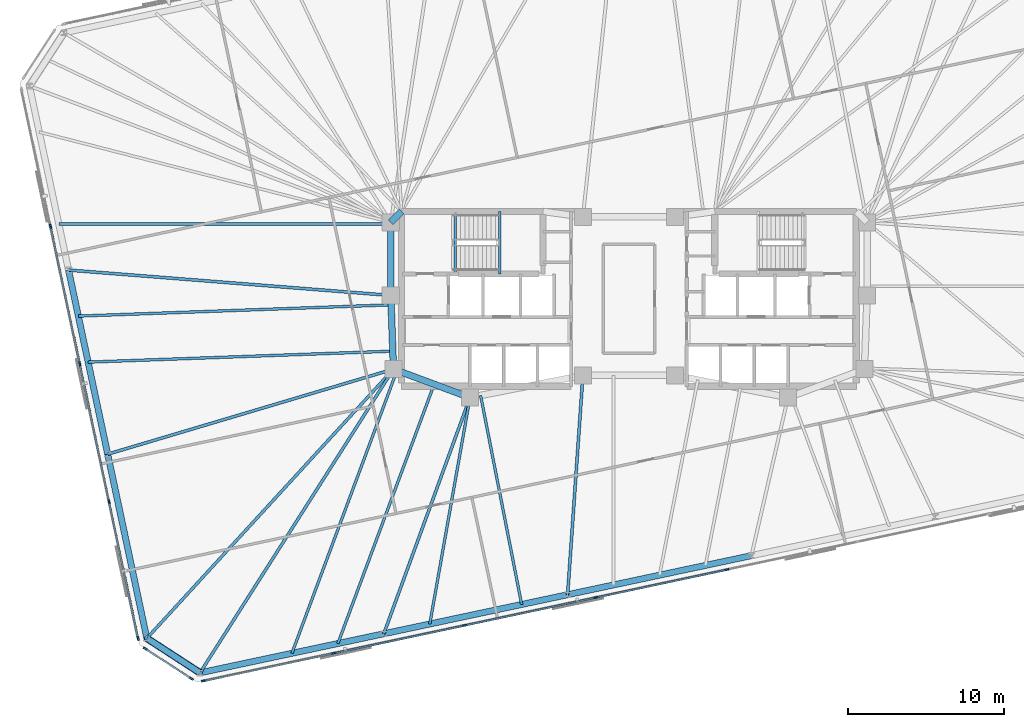
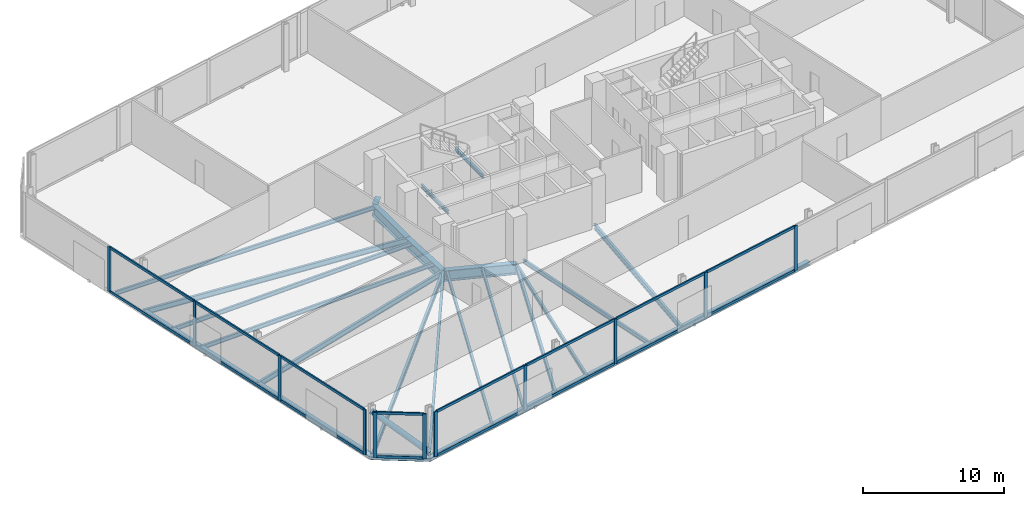
# One storey, part 6 of 15: 28 members, 25 beams, 3 elements without a shape of their own.
"""IFC4 building model written with IfcOpenShell, lengths in metres."""

import ifcopenshell
import ifcopenshell.guid

model = None  # the IFC model being written
_history = None  # IfcOwnerHistory: only IFC2X3 demands one
_inside = {}  # id of a spatial element -> (the spatial element, [elements in it])
_under = {}  # id of a project, library or spatial element -> (it, [spatial elements below it])
_declared = {}  # id of a project -> (the project, [libraries it declares])
_typed = {}  # id of a type object -> (the type object, [elements of that type])
_made_of = {}  # id of a material, layer set ... -> (it, [elements and type objects made of it])


def new_model(schema):
    """Start an empty IFC model of exactly this schema.

    Asked for "IFC4X3", IfcOpenShell would pick the latest addendum, in which some entities
    have other attributes; the version numbers below select the first issue.
    IFC2X3 requires an IfcOwnerHistory on every rooted entity: one is made here for all.
    """
    global model, _history
    if schema == "IFC4X3":
        model = ifcopenshell.file(schema_version=(4, 3, 0, 0))
    else:
        model = ifcopenshell.file(schema=schema)
    _inside.clear()
    _under.clear()
    _declared.clear()
    _typed.clear()
    _made_of.clear()
    _history = None
    if model.schema == "IFC2X3":
        org = make("IfcOrganization", Name="unknown")
        user = make(
            "IfcPersonAndOrganization",
            ThePerson=make("IfcPerson", FamilyName="unknown"),
            TheOrganization=org,
        )
        app = make(
            "IfcApplication",
            ApplicationDeveloper=org,
            Version="unknown",
            ApplicationFullName="unknown",
            ApplicationIdentifier="unknown",
        )
        _history = make(
            "IfcOwnerHistory",
            OwningUser=user,
            OwningApplication=app,
            ChangeAction="ADDED",
            CreationDate=0,
        )
    return model


def make(cls, **values):
    """One entity of the class cls with the attributes given. An attribute that is None is left unset."""
    return model.create_entity(
        cls, **{name: value for name, value in values.items() if value is not None}
    )


def rooted(cls, **values):
    """An entity with a GlobalId (a new one), such as an element, a storey or a relation."""
    return make(cls, GlobalId=ifcopenshell.guid.new(), OwnerHistory=_history, **values)


def si_unit(unit_type, name, prefix=None):
    """IfcSIUnit, for example si_unit("LENGTHUNIT", "METRE", prefix="MILLI")."""
    return make("IfcSIUnit", UnitType=unit_type, Prefix=prefix, Name=name)


def assignment(units):
    """IfcUnitAssignment: the units of a project."""
    return None if units is None else make("IfcUnitAssignment", Units=units)


def point(xyz):
    """IfcCartesianPoint."""
    return None if xyz is None else make("IfcCartesianPoint", Coordinates=xyz)


def direction(xyz):
    """IfcDirection."""
    return None if xyz is None else make("IfcDirection", DirectionRatios=xyz)


def frame(location, z_axis=None, x_axis=None):
    """IfcAxis2Placement3D, a coordinate frame: its origin and axes. An axis left out is left unset."""
    return make(
        "IfcAxis2Placement3D",
        Location=point(location),
        Axis=direction(z_axis),
        RefDirection=direction(x_axis),
    )


def frame_2d(location, x_axis=None):
    """IfcAxis2Placement2D, a coordinate frame in the plane: its origin and x axis."""
    return make(
        "IfcAxis2Placement2D", Location=point(location), RefDirection=direction(x_axis)
    )


def origin():
    """The frame at (0, 0, 0) with its axes left unset."""
    return frame((0.0, 0.0, 0.0))


def origin_2d():
    """The frame at (0, 0) in the plane with its x axis left unset."""
    return frame_2d((0.0, 0.0))


def place(relative_to, where):
    """IfcLocalPlacement: puts the frame where relative to a parent placement (None: the world)."""
    return make(
        "IfcLocalPlacement", PlacementRelTo=relative_to, RelativePlacement=where
    )


def context(
    kind, dimensions, precision=None, world=None, true_north=None, identifier=None
):
    """IfcGeometricRepresentationContext, for example the 3D "Model" context."""
    return make(
        "IfcGeometricRepresentationContext",
        ContextIdentifier=identifier,
        ContextType=kind,
        CoordinateSpaceDimension=dimensions,
        Precision=precision,
        WorldCoordinateSystem=world,
        TrueNorth=true_north,
    )


def subcontext(parent, identifier, kind, view, scale=None):
    """IfcGeometricRepresentationSubContext, for example "Body" below "Model"."""
    return make(
        "IfcGeometricRepresentationSubContext",
        ContextIdentifier=identifier,
        ContextType=kind,
        ParentContext=parent,
        TargetScale=scale,
        TargetView=view,
    )


def project(units=None, contexts=None):
    """IfcProject with its units and contexts."""
    return rooted(
        "IfcProject",
        Name="project",
        RepresentationContexts=contexts,
        UnitsInContext=assignment(units),
    )


def spatial(cls, under=None, at=None, **own):
    """A site, building, storey or space (cls), placed at a placement, below another one or the project."""
    s = rooted(cls, ObjectPlacement=at, **own)
    if under is not None:
        _under.setdefault(under.id(), (under, []))[1].append(s)
    return s


def profile(cls, at=None, kind="AREA", **sizes):
    """A parametric profile (cls). Its sizes go by their IFC names, for example OverallWidth=200.0."""
    return make(cls, ProfileType=kind, Position=at, **sizes)


def rectangle(**sizes):
    """IfcRectangleProfileDef."""
    return profile("IfcRectangleProfileDef", **sizes)


def hollow_circle(**sizes):
    """IfcCircleHollowProfileDef."""
    return profile("IfcCircleHollowProfileDef", **sizes)


def i_section(**sizes):
    """IfcIShapeProfileDef."""
    return profile("IfcIShapeProfileDef", **sizes)


def extrude(swept, where, along, depth):
    """IfcExtrudedAreaSolid: the profile swept, set in the frame where, extruded along a direction by depth."""
    return make(
        "IfcExtrudedAreaSolid",
        SweptArea=swept,
        Position=where,
        ExtrudedDirection=direction(along),
        Depth=depth,
    )


def shape(context_of_items, identifier, shape_type, items):
    """IfcShapeRepresentation: the items that make up one representation, for example the "Body"."""
    return make(
        "IfcShapeRepresentation",
        ContextOfItems=context_of_items,
        RepresentationIdentifier=identifier,
        RepresentationType=shape_type,
        Items=items,
    )


def material(Name=None, Category=None):
    """IfcMaterial."""
    return make("IfcMaterial", Name=Name, Category=Category)


def material_profile(
    of_material, cross_section, Name=None, Category=None, Priority=None
):
    """IfcMaterialProfile: a cross section and its material."""
    return make(
        "IfcMaterialProfile",
        Name=Name,
        Material=of_material,
        Profile=cross_section,
        Priority=Priority,
        Category=Category,
    )


def profile_set(profiles, Name=None, composite=None):
    """IfcMaterialProfileSet."""
    return make(
        "IfcMaterialProfileSet",
        Name=Name,
        MaterialProfiles=profiles,
        CompositeProfile=composite,
    )


def made_of(thing, what):
    """Note that an element or type object is made of a material, layer set ...; save() writes the relation."""
    if what is not None:
        _made_of.setdefault(what.id(), (what, []))[1].append(thing)
    return thing


def type_object(cls, material=None, **own):
    """A type object (cls), such as IfcWallType, which elements share."""
    return made_of(rooted(cls, **own), material)


def element(
    cls,
    number,
    at=None,
    inside=None,
    cuts=None,
    type_object=None,
    material=None,
    context=None,
    identifier="Body",
    shape_type=None,
    held_by="IfcProductDefinitionShape",
    body=None,
    shapes=None,
    **own,
):
    """One element of the class cls, such as IfcWall. Its Tag is "e" and its number.

    at: its placement. inside: the storey or other place that contains it. cuts: it is an
    opening in that element (IfcRelVoidsElement). A single representation is given by context,
    identifier, shape_type and body (its items); several are given by shapes. held_by: the class
    of the entity that holds the representations. save() writes the other relations.
    """
    e = rooted(cls, Tag="e%d" % number, ObjectPlacement=at, **own)
    if body is not None:
        shapes = [shape(context, identifier, shape_type, body)]
    if shapes is not None:
        e.Representation = make(held_by, Representations=shapes)
    if inside is not None:
        _inside.setdefault(inside.id(), (inside, []))[1].append(e)
    if cuts is not None:
        rooted(
            "IfcRelVoidsElement", RelatingBuildingElement=cuts, RelatedOpeningElement=e
        )
    if type_object is not None:
        _typed.setdefault(type_object.id(), (type_object, []))[1].append(e)
    return made_of(e, material)


def aggregate(whole, parts):
    """IfcRelAggregates: a whole, such as a stair, and the parts it consists of."""
    return rooted("IfcRelAggregates", RelatingObject=whole, RelatedObjects=parts)


def save(model, path):
    """Write the relations noted so far, then the file.

    IfcRelAggregates (storeys below a building ...), IfcRelContainedInSpatialStructure (elements
    in a storey), IfcRelDefinesByType, IfcRelAssociatesMaterial and IfcRelDeclares: one each for
    every whole, place, type object, material and project.
    """
    for whole, parts in _under.values():
        aggregate(whole, parts)
    for where, things in _inside.values():
        rooted(
            "IfcRelContainedInSpatialStructure",
            RelatedElements=things,
            RelatingStructure=where,
        )
    for kind, things in _typed.values():
        rooted("IfcRelDefinesByType", RelatedObjects=things, RelatingType=kind)
    for what, things in _made_of.values():
        rooted("IfcRelAssociatesMaterial", RelatedObjects=things, RelatingMaterial=what)
    for by, libraries in _declared.values():
        rooted("IfcRelDeclares", RelatingContext=by, RelatedDefinitions=libraries)
    model.write(path)


model = new_model("IFC4")

# Units and contexts
model_context = context("Model", 3, precision=1e-05, world=origin(), true_north=direction((0.0, 1.0)))
body_context = subcontext(model_context, "Body", "Model", "MODEL_VIEW")
ifc_project = project(units=[si_unit("LENGTHUNIT", "METRE"), si_unit("AREAUNIT", "SQUARE_METRE"), si_unit("VOLUMEUNIT", "CUBIC_METRE"), si_unit("PLANEANGLEUNIT", "RADIAN"), si_unit("MASSUNIT", "GRAM", prefix="KILO")], contexts=[model_context])

# Site, building, storey
site_placement = place(None, origin())
site = spatial("IfcSite", under=ifc_project, at=site_placement, CompositionType="ELEMENT")
building_placement = place(site_placement, origin())
building = spatial("IfcBuilding", under=site, at=building_placement, Name="Menara Jurai Vektor", CompositionType="ELEMENT")
storey_placement = place(building_placement, frame((0.0, 0.0, 147.300048828125)))
storey = spatial("IfcBuildingStorey", under=building, at=storey_placement, Name="L37", CompositionType="ELEMENT", Elevation=147.300048828125)

# Curtain wall, members
ifc_material_1 = material(Name="Anodised Pale Aluminium & Low-E Double Glazing", Category="aluminium")
curtain_wall_type = type_object("IfcCurtainWallType", Name="CW-SKY", PredefinedType="NOTDEFINED", material=ifc_material_1)
curtain_wall_1_placement = place(storey_placement, origin())
curtain_wall_1 = element("IfcCurtainWall", 1, at=curtain_wall_1_placement, inside=storey, type_object=curtain_wall_type, Name="Unitised Curtain Wall L37 F01", PredefinedType="NOTDEFINED")
ifc_material_2 = material(Name="Anodised Pale Aluminium Mullion", Category="aluminium")
ifc_material_profile_1 = material_profile(ifc_material_2, rectangle(XDim=0.110107421875, YDim=0.280029296875, at=origin_2d()), Name="ALU MUL 110x280")
ifc_profile_set_1 = profile_set([ifc_material_profile_1], Name="Anodised Pale Aluminium Mullion")
member_type_1 = type_object("IfcMemberType", Name="CW-SKY-MUL", PredefinedType="MULLION", material=ifc_profile_set_1)
member_1_placement = place(storey_placement, frame((-27.239990234375, -24.460205078125, 0.0), z_axis=(0.0, 0.0, 1.0), x_axis=(-0.207911344156, 0.978147674419, 0.0)))
member_1 = element("IfcMember", 2, at=member_1_placement, type_object=member_type_1, Name="CW-06 mullion 1", PredefinedType="MULLION", context=body_context, shape_type="SweptSolid", body=[
    extrude(rectangle(XDim=0.110107421875, YDim=0.280029296875, at=origin_2d()), origin(), (0.0, 0.0, 1.0), 3.875),
])
member_2_placement = place(storey_placement, frame((-18.904296875, -22.6884765625, 0.0), z_axis=(0.0, 0.0, 1.0), x_axis=(-0.207911344156, 0.978147674419, 0.0)))
member_2 = element("IfcMember", 3, at=member_2_placement, type_object=member_type_1, Name="CW-06 mullion 2", PredefinedType="MULLION", context=body_context, shape_type="SweptSolid", body=[
    extrude(rectangle(XDim=0.110107421875, YDim=0.280029296875, at=origin_2d()), origin(), (0.0, 0.0, 1.0), 3.875),
])
member_3_placement = place(storey_placement, frame((-10.514404296875, -20.905029296875, 0.0), z_axis=(0.0, 0.0, 1.0), x_axis=(-0.207911344156, 0.978147674419, 0.0)))
member_3 = element("IfcMember", 4, at=member_3_placement, type_object=member_type_1, Name="CW-06 mullion 3", PredefinedType="MULLION", context=body_context, shape_type="SweptSolid", body=[
    extrude(rectangle(XDim=0.110107421875, YDim=0.280029296875, at=origin_2d()), origin(), (0.0, 0.0, 1.0), 3.875),
])
member_4_placement = place(storey_placement, frame((-2.124755859375, -19.121826171875, 0.0), z_axis=(0.0, 0.0, 1.0), x_axis=(-0.207911344156, 0.978147674419, 0.0)))
member_4 = element("IfcMember", 5, at=member_4_placement, type_object=member_type_1, Name="CW-06 mullion 4", PredefinedType="MULLION", context=body_context, shape_type="SweptSolid", body=[
    extrude(rectangle(XDim=0.110107421875, YDim=0.280029296875, at=origin_2d()), origin(), (0.0, 0.0, 1.0), 3.875),
])
member_5_placement = place(storey_placement, frame((6.264892578125, -17.338623046875, 0.0), z_axis=(0.0, 0.0, 1.0), x_axis=(-0.207911344156, 0.978147674419, 0.0)))
member_5 = element("IfcMember", 6, at=member_5_placement, type_object=member_type_1, Name="CW-06 mullion 5", PredefinedType="MULLION", context=body_context, shape_type="SweptSolid", body=[
    extrude(rectangle(XDim=0.110107421875, YDim=0.280029296875, at=origin_2d()), origin(), (0.0, 0.0, 1.0), 3.875),
])

curtain_wall_2_placement = place(storey_placement, origin())
curtain_wall_2 = element("IfcCurtainWall", 7, at=curtain_wall_2_placement, inside=storey, type_object=curtain_wall_type, Name="Unitised Curtain Wall L37 F07", PredefinedType="NOTDEFINED")
member_6_placement = place(storey_placement, frame((-37.041259765625, 4.648193359375, 0.0), z_axis=(0.0, 0.0, 1.0), x_axis=(0.978147883949, 0.20791035839, 0.0)))
member_6 = element("IfcMember", 8, at=member_6_placement, type_object=member_type_1, Name="CW-06 mullion 2", PredefinedType="MULLION", context=body_context, shape_type="SweptSolid", body=[
    extrude(rectangle(XDim=0.110107421875, YDim=0.280029296875, at=origin_2d()), origin(), (0.0, 0.0, 1.0), 3.875),
])
member_7_placement = place(storey_placement, frame((-35.16796875, -4.1650390625, 0.0), z_axis=(0.0, 0.0, 1.0), x_axis=(0.978147883949, 0.20791035839, 0.0)))
member_7 = element("IfcMember", 9, at=member_7_placement, type_object=member_type_1, Name="CW-06 mullion 3", PredefinedType="MULLION", context=body_context, shape_type="SweptSolid", body=[
    extrude(rectangle(XDim=0.110107421875, YDim=0.280029296875, at=origin_2d()), origin(), (0.0, 0.0, 1.0), 3.875),
])
member_8_placement = place(storey_placement, frame((-33.294677734375, -12.978271484375, 0.0), z_axis=(0.0, 0.0, 1.0), x_axis=(0.978147883949, 0.20791035839, 0.0)))
member_8 = element("IfcMember", 10, at=member_8_placement, type_object=member_type_1, Name="CW-06 mullion 4", PredefinedType="MULLION", context=body_context, shape_type="SweptSolid", body=[
    extrude(rectangle(XDim=0.110107421875, YDim=0.280029296875, at=origin_2d()), origin(), (0.0, 0.0, 1.0), 3.875),
])
member_9_placement = place(storey_placement, frame((-31.432861328125, -21.737548828125, 0.0), z_axis=(0.0, 0.0, 1.0), x_axis=(0.978147883949, 0.20791035839, 0.0)))
member_9 = element("IfcMember", 11, at=member_9_placement, type_object=member_type_1, Name="CW-06 mullion 5", PredefinedType="MULLION", context=body_context, shape_type="SweptSolid", body=[
    extrude(rectangle(XDim=0.110107421875, YDim=0.280029296875, at=origin_2d()), origin(), (0.0, 0.0, 1.0), 3.875),
])

curtain_wall_3_placement = place(storey_placement, origin())
curtain_wall_3 = element("IfcCurtainWall", 12, at=curtain_wall_3_placement, inside=storey, type_object=curtain_wall_type, Name="Unitised Curtain Wall L37 F08", PredefinedType="NOTDEFINED")
member_10_placement = place(storey_placement, frame((-30.9775390625, -22.39990234375, 0.0), z_axis=(0.0, 0.0, 1.0), x_axis=(0.544617794346, 0.838684361415, 0.0)))
member_10 = element("IfcMember", 13, at=member_10_placement, type_object=member_type_1, Name="CW-06 mullion 1", PredefinedType="MULLION", context=body_context, shape_type="SweptSolid", body=[
    extrude(rectangle(XDim=0.110107421875, YDim=0.280029296875, at=origin_2d()), origin(), (0.0, 0.0, 1.0), 3.875),
])
member_11_placement = place(storey_placement, frame((-28.030517578125, -24.313720703125, 0.0), z_axis=(0.0, 0.0, 1.0), x_axis=(0.544617794346, 0.838684361415, 0.0)))
member_11 = element("IfcMember", 14, at=member_11_placement, type_object=member_type_1, Name="CW-06 mullion 2", PredefinedType="MULLION", context=body_context, shape_type="SweptSolid", body=[
    extrude(rectangle(XDim=0.110107421875, YDim=0.280029296875, at=origin_2d()), origin(), (0.0, 0.0, 1.0), 3.875),
])

# Member
ifc_material_3 = material(Name="Anodised Pale Aluminium Transom", Category="aluminium")
ifc_material_profile_2 = material_profile(ifc_material_3, rectangle(XDim=0.110107421875, YDim=0.219970703125, at=origin_2d()), Name="ALU TRN 110x220")
ifc_profile_set_2 = profile_set([ifc_material_profile_2], Name="Anodised Pale Aluminium Transom")
member_type_2 = type_object("IfcMemberType", Name="CW-SKY-TRN", PredefinedType="USERDEFINED", material=ifc_profile_set_2)
member_12_placement = place(storey_placement, frame((-27.186279296875, -24.44873046875, 0.054931640625), z_axis=(0.978152285719, 0.207889648476, 0.0), x_axis=(-0.207889648476, 0.978152285719, 0.0)))
member_12 = element("IfcMember", 15, at=member_12_placement, type_object=member_type_2, Name="CW-06 transom 1.1", ObjectType="TRANSOM", PredefinedType="USERDEFINED", context=body_context, shape_type="SweptSolid", body=[
    extrude(rectangle(XDim=0.110107421875, YDim=0.219970703125, at=origin_2d()), origin(), (0.0, 0.0, 1.0), 8.412109375),
])

member_13_placement = place(storey_placement, frame((-27.186279296875, -24.44873046875, 3.820068359375), z_axis=(0.978152285719, 0.207889648476, 0.0), x_axis=(-0.207889648476, 0.978152285719, 0.0)))
member_13 = element("IfcMember", 16, at=member_13_placement, type_object=member_type_2, Name="CW-06 transom 1.2", ObjectType="TRANSOM", PredefinedType="USERDEFINED", context=body_context, shape_type="SweptSolid", body=[
    extrude(rectangle(XDim=0.110107421875, YDim=0.219970703125, at=origin_2d()), origin(), (0.0, 0.0, 1.0), 8.412109375),
])

member_14_placement = place(storey_placement, frame((-18.850341796875, -22.677001953125, 0.054931640625), z_axis=(0.978144998468, 0.207923933141, 0.0), x_axis=(-0.207923933141, 0.978144998468, 0.0)))
member_14 = element("IfcMember", 17, at=member_14_placement, type_object=member_type_2, Name="CW-06 transom 2.1", ObjectType="TRANSOM", PredefinedType="USERDEFINED", context=body_context, shape_type="SweptSolid", body=[
    extrude(rectangle(XDim=0.110107421875, YDim=0.219970703125, at=origin_2d()), origin(), (0.0, 0.0, 1.0), 8.467041015625),
])

member_15_placement = place(storey_placement, frame((-18.850341796875, -22.677001953125, 3.820068359375), z_axis=(0.978144998468, 0.207923933141, 0.0), x_axis=(-0.207923933141, 0.978144998468, 0.0)))
member_15 = element("IfcMember", 18, at=member_15_placement, type_object=member_type_2, Name="CW-06 transom 2.2", ObjectType="TRANSOM", PredefinedType="USERDEFINED", context=body_context, shape_type="SweptSolid", body=[
    extrude(rectangle(XDim=0.110107421875, YDim=0.219970703125, at=origin_2d()), origin(), (0.0, 0.0, 1.0), 8.467041015625),
])

member_16_placement = place(storey_placement, frame((-10.460693359375, -20.893798828125, 0.054931640625), z_axis=(0.978146244988, 0.207918068996, 0.0), x_axis=(-0.207918068996, 0.978146244988, 0.0)))
member_16 = element("IfcMember", 19, at=member_16_placement, type_object=member_type_2, Name="CW-06 transom 3.1", ObjectType="TRANSOM", PredefinedType="USERDEFINED", context=body_context, shape_type="SweptSolid", body=[
    extrude(rectangle(XDim=0.110107421875, YDim=0.219970703125, at=origin_2d()), origin(), (0.0, 0.0, 1.0), 8.46728515625),
])

member_17_placement = place(storey_placement, frame((-10.460693359375, -20.893798828125, 3.820068359375), z_axis=(0.978146244988, 0.207918068996, 0.0), x_axis=(-0.207918068996, 0.978146244988, 0.0)))
member_17 = element("IfcMember", 20, at=member_17_placement, type_object=member_type_2, Name="CW-06 transom 3.2", ObjectType="TRANSOM", PredefinedType="USERDEFINED", context=body_context, shape_type="SweptSolid", body=[
    extrude(rectangle(XDim=0.110107421875, YDim=0.219970703125, at=origin_2d()), origin(), (0.0, 0.0, 1.0), 8.46728515625),
])

member_18_placement = place(storey_placement, frame((-2.071044921875, -19.1103515625, 0.054931640625), z_axis=(0.978152108618, 0.207890481757, 0.0), x_axis=(-0.207890481757, 0.978152108618, 0.0)))
member_18 = element("IfcMember", 21, at=member_18_placement, type_object=member_type_2, Name="CW-06 transom 4.1", ObjectType="TRANSOM", PredefinedType="USERDEFINED", context=body_context, shape_type="SweptSolid", body=[
    extrude(rectangle(XDim=0.110107421875, YDim=0.219970703125, at=origin_2d()), origin(), (0.0, 0.0, 1.0), 8.46728515625),
])

member_19_placement = place(storey_placement, frame((-2.071044921875, -19.1103515625, 3.820068359375), z_axis=(0.978152108618, 0.207890481757, 0.0), x_axis=(-0.207890481757, 0.978152108618, 0.0)))
member_19 = element("IfcMember", 22, at=member_19_placement, type_object=member_type_2, Name="CW-06 transom 4.2", ObjectType="TRANSOM", PredefinedType="USERDEFINED", context=body_context, shape_type="SweptSolid", body=[
    extrude(rectangle(XDim=0.110107421875, YDim=0.219970703125, at=origin_2d()), origin(), (0.0, 0.0, 1.0), 8.46728515625),
])

aggregate(curtain_wall_1, [member_1, member_2, member_3, member_4, member_5, member_12, member_13, member_14, member_15, member_16, member_17, member_18, member_19])

member_20_placement = place(storey_placement, frame((-37.02978515625, 4.59423828125, 0.054931640625), z_axis=(0.207902718056, -0.97814950791, 0.0), x_axis=(0.97814950791, 0.207902718056, 0.0)))
member_20 = element("IfcMember", 23, at=member_20_placement, type_object=member_type_2, Name="CW-06 transom 2.1", ObjectType="TRANSOM", PredefinedType="USERDEFINED", context=body_context, shape_type="SweptSolid", body=[
    extrude(rectangle(XDim=0.110107421875, YDim=0.219970703125, at=origin_2d()), origin(), (0.0, 0.0, 1.0), 8.900146484375),
])

member_21_placement = place(storey_placement, frame((-37.02978515625, 4.59423828125, 3.820068359375), z_axis=(0.207902718056, -0.97814950791, 0.0), x_axis=(0.97814950791, 0.207902718056, 0.0)))
member_21 = element("IfcMember", 24, at=member_21_placement, type_object=member_type_2, Name="CW-06 transom 2.2", ObjectType="TRANSOM", PredefinedType="USERDEFINED", context=body_context, shape_type="SweptSolid", body=[
    extrude(rectangle(XDim=0.110107421875, YDim=0.219970703125, at=origin_2d()), origin(), (0.0, 0.0, 1.0), 8.900146484375),
])

member_22_placement = place(storey_placement, frame((-35.156494140625, -4.21875, 0.054931640625), z_axis=(0.207902718056, -0.97814950791, 0.0), x_axis=(0.97814950791, 0.207902718056, 0.0)))
member_22 = element("IfcMember", 25, at=member_22_placement, type_object=member_type_2, Name="CW-06 transom 3.1", ObjectType="TRANSOM", PredefinedType="USERDEFINED", context=body_context, shape_type="SweptSolid", body=[
    extrude(rectangle(XDim=0.110107421875, YDim=0.219970703125, at=origin_2d()), origin(), (0.0, 0.0, 1.0), 8.900146484375),
])

member_23_placement = place(storey_placement, frame((-35.156494140625, -4.21875, 3.820068359375), z_axis=(0.207902718056, -0.97814950791, 0.0), x_axis=(0.97814950791, 0.207902718056, 0.0)))
member_23 = element("IfcMember", 26, at=member_23_placement, type_object=member_type_2, Name="CW-06 transom 3.2", ObjectType="TRANSOM", PredefinedType="USERDEFINED", context=body_context, shape_type="SweptSolid", body=[
    extrude(rectangle(XDim=0.110107421875, YDim=0.219970703125, at=origin_2d()), origin(), (0.0, 0.0, 1.0), 8.900146484375),
])

member_24_placement = place(storey_placement, frame((-33.283203125, -13.031982421875, 0.054931640625), z_axis=(0.207902001866, -0.978149660134, 0.0), x_axis=(0.978149660134, 0.207902001866, 0.0)))
member_24 = element("IfcMember", 27, at=member_24_placement, type_object=member_type_2, Name="CW-06 transom 4.1", ObjectType="TRANSOM", PredefinedType="USERDEFINED", context=body_context, shape_type="SweptSolid", body=[
    extrude(rectangle(XDim=0.110107421875, YDim=0.219970703125, at=origin_2d()), origin(), (0.0, 0.0, 1.0), 8.844970703125),
])

member_25_placement = place(storey_placement, frame((-33.283203125, -13.031982421875, 3.820068359375), z_axis=(0.207902001866, -0.978149660134, 0.0), x_axis=(0.978149660134, 0.207902001866, 0.0)))
member_25 = element("IfcMember", 28, at=member_25_placement, type_object=member_type_2, Name="CW-06 transom 4.2", ObjectType="TRANSOM", PredefinedType="USERDEFINED", context=body_context, shape_type="SweptSolid", body=[
    extrude(rectangle(XDim=0.110107421875, YDim=0.219970703125, at=origin_2d()), origin(), (0.0, 0.0, 1.0), 8.844970703125),
])

aggregate(curtain_wall_2, [member_6, member_7, member_8, member_9, member_20, member_21, member_22, member_23, member_24, member_25])

member_26_placement = place(storey_placement, frame((-30.931396484375, -22.429931640625, 0.054931640625), z_axis=(0.8386877018, -0.544612650284, 0.0), x_axis=(0.544612650284, 0.8386877018, 0.0)))
member_26 = element("IfcMember", 29, at=member_26_placement, type_object=member_type_2, Name="CW-06 transom 1.1", ObjectType="TRANSOM", PredefinedType="USERDEFINED", context=body_context, shape_type="SweptSolid", body=[
    extrude(rectangle(XDim=0.110107421875, YDim=0.219970703125, at=origin_2d()), origin(), (0.0, 0.0, 1.0), 3.40380859375),
])

member_27_placement = place(storey_placement, frame((-30.931396484375, -22.429931640625, 3.820068359375), z_axis=(0.8386877018, -0.544612650284, 0.0), x_axis=(0.544612650284, 0.8386877018, 0.0)))
member_27 = element("IfcMember", 30, at=member_27_placement, type_object=member_type_2, Name="CW-06 transom 1.2", ObjectType="TRANSOM", PredefinedType="USERDEFINED", context=body_context, shape_type="SweptSolid", body=[
    extrude(rectangle(XDim=0.110107421875, YDim=0.219970703125, at=origin_2d()), origin(), (0.0, 0.0, 1.0), 3.40380859375),
])

aggregate(curtain_wall_3, [member_10, member_11, member_26, member_27])

# Beams
ifc_material_4 = material(Name="Steel S355", Category="steel")
ifc_material_profile_3 = material_profile(ifc_material_4, i_section(OverallWidth=0.19091796875, OverallDepth=0.4599609375, WebThickness=0.010009765625, FlangeThickness=0.01611328125, FilletRadius=0.010009765625, at=origin_2d()), Name="UKB 457x191x82")
ifc_profile_set_3 = profile_set([ifc_material_profile_3], Name="Steel S355")
beam_type_1 = type_object("IfcBeamType", Name="STR-BM-457", PredefinedType="BEAM", material=ifc_profile_set_3)
beam_1_placement = place(storey_placement, frame((-27.46484375, -23.94580078125, -0.47998046875), z_axis=(0.537189280991, 0.843461721946, 0.0), x_axis=(-0.843461721946, 0.537189280991, 0.0)))
element("IfcBeam", 31, at=beam_1_placement, inside=storey, type_object=beam_type_1, Name="Radial Floor Girder L37-S1", PredefinedType="BEAM", context=body_context, shape_type="SweptSolid", body=[
    extrude(i_section(OverallWidth=0.19091796875, OverallDepth=0.4599609375, WebThickness=0.010009765625, FlangeThickness=0.01611328125, FilletRadius=0.010009765625, at=origin_2d()), origin(), (0.0, 0.0, 1.0), 23.0546875),
])
beam_2_placement = place(storey_placement, frame((-15.696533203125, -21.4443359375, -0.47998046875), z_axis=(0.342668294367, 0.939456459893, 0.0), x_axis=(-0.939456459893, 0.342668294367, 0.0)))
element("IfcBeam", 32, at=beam_2_placement, inside=storey, type_object=beam_type_1, Name="Radial Floor Girder L37-S2", PredefinedType="BEAM", context=body_context, shape_type="SweptSolid", body=[
    extrude(i_section(OverallWidth=0.19091796875, OverallDepth=0.4599609375, WebThickness=0.010009765625, FlangeThickness=0.01611328125, FilletRadius=0.010009765625, at=origin_2d()), origin(), (0.0, 0.0, 1.0), 16.098876953125),
])
beam_3_placement = place(storey_placement, frame((-3.928466796875, -18.94287109375, -0.47998046875), z_axis=(0.06951156523, 0.997581145722, 0.0), x_axis=(-0.997581145722, 0.06951156523, 0.0)))
element("IfcBeam", 33, at=beam_3_placement, inside=storey, type_object=beam_type_1, Name="Radial Floor Girder L37-S3", PredefinedType="BEAM", context=body_context, shape_type="SweptSolid", body=[
    extrude(i_section(OverallWidth=0.19091796875, OverallDepth=0.4599609375, WebThickness=0.010009765625, FlangeThickness=0.01611328125, FilletRadius=0.010009765625, at=origin_2d()), origin(), (0.0, 0.0, 1.0), 14.076904296875),
])
beam_4_placement = place(storey_placement, frame((-35.8828125, 1.843505859375, -0.47998046875), z_axis=(0.996918476483, -0.078444574364, 0.0), x_axis=(0.078444574364, 0.996918476483, 0.0)))
element("IfcBeam", 34, at=beam_4_placement, inside=storey, type_object=beam_type_1, Name="Radial Floor Girder L37-W2", PredefinedType="BEAM", context=body_context, shape_type="SweptSolid", body=[
    extrude(i_section(OverallWidth=0.19091796875, OverallDepth=0.4599609375, WebThickness=0.010009765625, FlangeThickness=0.01611328125, FilletRadius=0.010009765625, at=origin_2d()), origin(), (0.0, 0.0, 1.0), 20.696533203125),
])
beam_5_placement = place(storey_placement, frame((-33.377197265625, -9.94482421875, -0.47998046875), z_axis=(0.958462775407, 0.285217650505, 0.0), x_axis=(-0.285217650505, 0.958462775407, 0.0)))
element("IfcBeam", 35, at=beam_5_placement, inside=storey, type_object=beam_type_1, Name="Radial Floor Girder L37-W3", PredefinedType="BEAM", context=body_context, shape_type="SweptSolid", body=[
    extrude(i_section(OverallWidth=0.19091796875, OverallDepth=0.4599609375, WebThickness=0.010009765625, FlangeThickness=0.01611328125, FilletRadius=0.010009765625, at=origin_2d()), origin(), (0.0, 0.0, 1.0), 19.090087890625),
])
beam_6_placement = place(storey_placement, frame((-30.871337890625, -21.7333984375, -0.47998046875), z_axis=(0.675584615662, 0.737282460852, 0.0), x_axis=(-0.737282460852, 0.675584615662, 0.0)))
element("IfcBeam", 36, at=beam_6_placement, inside=storey, type_object=beam_type_1, Name="Radial Floor Girder L37-W4", PredefinedType="BEAM", context=body_context, shape_type="SweptSolid", body=[
    extrude(i_section(OverallWidth=0.19091796875, OverallDepth=0.4599609375, WebThickness=0.010009765625, FlangeThickness=0.01611328125, FilletRadius=0.010009765625, at=origin_2d()), origin(), (0.0, 0.0, 1.0), 23.374267578125),
])
ifc_material_5 = material(Name="Steel S460", Category="steel")
ifc_material_profile_4 = material_profile(ifc_material_5, i_section(OverallWidth=0.39697265625, OverallDepth=0.31591796875, WebThickness=0.030029296875, FlangeThickness=0.048095703125, FilletRadius=0.014892578125, at=origin_2d()), Name="HD 400x382")
ifc_profile_set_4 = profile_set([ifc_material_profile_4], Name="Steel S460")
beam_type_2 = type_object("IfcBeamType", Name="STR-BM-CHORD382", PredefinedType="SPANDREL", material=ifc_profile_set_4)
beam_7_placement = place(storey_placement, frame((-27.46484375, -23.94580078125, -0.407958984375), z_axis=(0.978147039247, 0.207914332389, 0.0), x_axis=(-0.207914332389, 0.978147039247, 0.0)))
element("IfcBeam", 37, at=beam_7_placement, inside=storey, type_object=beam_type_2, Name="Exoskeleton Spandrel Beam L37-01", PredefinedType="SPANDREL", context=body_context, shape_type="SweptSolid", body=[
    extrude(i_section(OverallWidth=0.39697265625, OverallDepth=0.31591796875, WebThickness=0.030029296875, FlangeThickness=0.048095703125, FilletRadius=0.014892578125, at=origin_2d()), origin(), (0.0, 0.0, 1.0), 12.03125),
])
beam_8_placement = place(storey_placement, frame((-15.696533203125, -21.4443359375, -0.407958984375), z_axis=(0.97814616202, 0.207918459318, 0.0), x_axis=(-0.207918459318, 0.97814616202, 0.0)))
element("IfcBeam", 38, at=beam_8_placement, inside=storey, type_object=beam_type_2, Name="Exoskeleton Spandrel Beam L37-02", PredefinedType="SPANDREL", context=body_context, shape_type="SweptSolid", body=[
    extrude(i_section(OverallWidth=0.39697265625, OverallDepth=0.31591796875, WebThickness=0.030029296875, FlangeThickness=0.048095703125, FilletRadius=0.014892578125, at=origin_2d()), origin(), (0.0, 0.0, 1.0), 12.031005859375),
])
beam_9_placement = place(storey_placement, frame((-3.928466796875, -18.94287109375, -0.407958984375), z_axis=(0.978147039247, 0.207914332389, 0.0), x_axis=(-0.207914332389, 0.978147039247, 0.0)))
element("IfcBeam", 39, at=beam_9_placement, inside=storey, type_object=beam_type_2, Name="Exoskeleton Spandrel Beam L37-03", PredefinedType="SPANDREL", context=body_context, shape_type="SweptSolid", body=[
    extrude(i_section(OverallWidth=0.39697265625, OverallDepth=0.31591796875, WebThickness=0.030029296875, FlangeThickness=0.048095703125, FilletRadius=0.014892578125, at=origin_2d()), origin(), (0.0, 0.0, 1.0), 12.03125),
])
beam_10_placement = place(storey_placement, frame((-35.8828125, 1.843505859375, -0.407958984375), z_axis=(0.207906000604, -0.978148810209, 0.0), x_axis=(0.978148810209, 0.207906000604, 0.0)))
element("IfcBeam", 40, at=beam_10_placement, inside=storey, type_object=beam_type_2, Name="Exoskeleton Spandrel Beam L37-18", PredefinedType="SPANDREL", context=body_context, shape_type="SweptSolid", body=[
    extrude(i_section(OverallWidth=0.39697265625, OverallDepth=0.31591796875, WebThickness=0.030029296875, FlangeThickness=0.048095703125, FilletRadius=0.014892578125, at=origin_2d()), origin(), (0.0, 0.0, 1.0), 12.0517578125),
])
beam_11_placement = place(storey_placement, frame((-33.377197265625, -9.94482421875, -0.407958984375), z_axis=(0.207921262698, -0.978145566119, 0.0), x_axis=(0.978145566119, 0.207921262698, 0.0)))
element("IfcBeam", 41, at=beam_11_placement, inside=storey, type_object=beam_type_2, Name="Exoskeleton Spandrel Beam L37-19", PredefinedType="SPANDREL", context=body_context, shape_type="SweptSolid", body=[
    extrude(i_section(OverallWidth=0.39697265625, OverallDepth=0.31591796875, WebThickness=0.030029296875, FlangeThickness=0.048095703125, FilletRadius=0.014892578125, at=origin_2d()), origin(), (0.0, 0.0, 1.0), 12.052001953125),
])
beam_12_placement = place(storey_placement, frame((-30.871337890625, -21.7333984375, -0.407958984375), z_axis=(0.838648168484, -0.544673525608, 0.0), x_axis=(0.544673525608, 0.838648168484, 0.0)))
element("IfcBeam", 42, at=beam_12_placement, inside=storey, type_object=beam_type_2, Name="Exoskeleton Spandrel Beam L37-20", PredefinedType="SPANDREL", context=body_context, shape_type="SweptSolid", body=[
    extrude(i_section(OverallWidth=0.39697265625, OverallDepth=0.31591796875, WebThickness=0.030029296875, FlangeThickness=0.048095703125, FilletRadius=0.014892578125, at=origin_2d()), origin(), (0.0, 0.0, 1.0), 4.061767578125),
])
ifc_material_profile_5 = material_profile(ifc_material_5, i_section(OverallWidth=0.4208984375, OverallDepth=0.9208984375, WebThickness=0.02099609375, FlangeThickness=0.037109375, FilletRadius=0.02392578125, at=origin_2d()), Name="UKB 914x419x388")
ifc_profile_set_5 = profile_set([ifc_material_profile_5], Name="Steel S460")
beam_type_3 = type_object("IfcBeamType", Name="STR-BM-TR914", PredefinedType="BEAM", material=ifc_profile_set_5)
beam_13_placement = place(storey_placement, frame((-15.25, 4.89990234375, -0.71044921875), z_axis=(0.701871936926, 0.712303154672, 0.0), x_axis=(-0.712303154672, 0.701871936926, 0.0)))
element("IfcBeam", 43, at=beam_13_placement, inside=storey, type_object=beam_type_3, Name="Core Ring Header Girder L37-CHW-N1", PredefinedType="BEAM", context=body_context, shape_type="SweptSolid", body=[
    extrude(i_section(OverallWidth=0.4208984375, OverallDepth=0.9208984375, WebThickness=0.02099609375, FlangeThickness=0.037109375, FilletRadius=0.02392578125, at=origin_2d()), origin(), (0.0, 0.0, 1.0), 0.98291015625),
])
beam_14_placement = place(storey_placement, frame((-15.25, 0.219970703125, -0.71044921875), z_axis=(0.0, 1.0, 0.0), x_axis=(-1.0, 0.0, 0.0)))
element("IfcBeam", 44, at=beam_14_placement, inside=storey, type_object=beam_type_3, Name="Core Ring Header Girder L37-CHW-W1", PredefinedType="BEAM", context=body_context, shape_type="SweptSolid", body=[
    extrude(i_section(OverallWidth=0.4208984375, OverallDepth=0.9208984375, WebThickness=0.02099609375, FlangeThickness=0.037109375, FilletRadius=0.02392578125, at=origin_2d()), origin(), (0.0, 0.0, 1.0), 4.679931640625),
])
beam_15_placement = place(storey_placement, frame((-15.080078125, -4.5, -0.71044921875), z_axis=(-0.035977314146, 0.999352606874, 0.0), x_axis=(-0.999352606874, -0.035977314146, 0.0)))
element("IfcBeam", 45, at=beam_15_placement, inside=storey, type_object=beam_type_3, Name="Core Ring Header Girder L37-CHW-W2", PredefinedType="BEAM", context=body_context, shape_type="SweptSolid", body=[
    extrude(i_section(OverallWidth=0.4208984375, OverallDepth=0.9208984375, WebThickness=0.02099609375, FlangeThickness=0.037109375, FilletRadius=0.02392578125, at=origin_2d()), origin(), (0.0, 0.0, 1.0), 4.72314453125),
])
beam_16_placement = place(storey_placement, frame((-15.080078125, -4.5, -0.71044921875), z_axis=(0.937424400887, -0.348188874925, 0.0), x_axis=(0.348188874925, 0.937424400887, 0.0)))
element("IfcBeam", 46, at=beam_16_placement, inside=storey, type_object=beam_type_3, Name="Core Ring Header Girder L37-CHW-S1", PredefinedType="BEAM", context=body_context, shape_type="SweptSolid", body=[
    extrude(i_section(OverallWidth=0.4208984375, OverallDepth=0.9208984375, WebThickness=0.02099609375, FlangeThickness=0.037109375, FilletRadius=0.02392578125, at=origin_2d()), origin(), (0.0, 0.0, 1.0), 5.227294921875),
])

# Member
ifc_material_profile_6 = material_profile(ifc_material_5, hollow_circle(Radius=0.228515625, WallThickness=0.01611328125, at=origin_2d()), Name="CHS 457x16")
ifc_profile_set_6 = profile_set([ifc_material_profile_6], Name="Steel S460")
member_type_3 = type_object("IfcMemberType", Name="STR-BR-457", PredefinedType="BRACE", material=ifc_profile_set_6)
member_28_placement = place(storey_placement, frame((-27.46484375, -23.94580078125, 0.14990234375), z_axis=(-0.645040348479, 0.418931816664, 0.639076741731), x_axis=(-0.544673525608, -0.838648168484, 0.0)))
element("IfcMember", 47, at=member_28_placement, inside=storey, type_object=member_type_3, Name="Exoskeleton Corner Brace L37-4", PredefinedType="BRACE", context=body_context, shape_type="SweptSolid", body=[
    extrude(hollow_circle(Radius=0.228515625, WallThickness=0.01611328125, at=origin_2d()), origin(), (0.0, 0.0, 1.0), 5.281005859375),
])

# Beams
ifc_material_profile_7 = material_profile(ifc_material_4, i_section(OverallWidth=0.172119140625, OverallDepth=0.35498046875, WebThickness=0.007080078125, FlangeThickness=0.011962890625, FilletRadius=0.010009765625, at=origin_2d()), Name="UKB 356x171x51")
ifc_profile_set_7 = profile_set([ifc_material_profile_7], Name="Steel S355")
beam_type_4 = type_object("IfcBeamType", Name="STR-JS-356", PredefinedType="JOIST", material=ifc_profile_set_7)
beam_17_placement = place(storey_placement, frame((-21.580810546875, -22.695068359375, -0.427490234375), z_axis=(0.348190019635, 0.937423975705, 0.0), x_axis=(-0.937423975705, 0.348190019635, 0.0)))
element("IfcBeam", 48, at=beam_17_placement, inside=storey, type_object=beam_type_4, Name="Radial Secondary Floor Joist L37-JS01", PredefinedType="JOIST", context=body_context, shape_type="SweptSolid", body=[
    extrude(i_section(OverallWidth=0.172119140625, OverallDepth=0.35498046875, WebThickness=0.007080078125, FlangeThickness=0.011962890625, FilletRadius=0.010009765625, at=origin_2d()), origin(), (0.0, 0.0, 1.0), 19.320068359375),
])
beam_18_placement = place(storey_placement, frame((-18.638671875, -22.069580078125, -0.427490234375), z_axis=(0.348193798412, 0.937422572135, 0.0), x_axis=(-0.937422572135, 0.348193798412, 0.0)))
element("IfcBeam", 49, at=beam_18_placement, inside=storey, type_object=beam_type_4, Name="Radial Secondary Floor Joist L37-JS02", PredefinedType="JOIST", context=body_context, shape_type="SweptSolid", body=[
    extrude(i_section(OverallWidth=0.172119140625, OverallDepth=0.35498046875, WebThickness=0.007080078125, FlangeThickness=0.011962890625, FilletRadius=0.010009765625, at=origin_2d()), origin(), (0.0, 0.0, 1.0), 17.709228515625),
])
beam_19_placement = place(storey_placement, frame((-12.75439453125, -20.819091796875, -0.427490234375), z_axis=(0.174826548521, 0.984599247375, 0.0), x_axis=(-0.984599247375, 0.174826548521, 0.0)))
element("IfcBeam", 50, at=beam_19_placement, inside=storey, type_object=beam_type_4, Name="Radial Secondary Floor Joist L37-JS03", PredefinedType="JOIST", context=body_context, shape_type="SweptSolid", body=[
    extrude(i_section(OverallWidth=0.172119140625, OverallDepth=0.35498046875, WebThickness=0.007080078125, FlangeThickness=0.011962890625, FilletRadius=0.010009765625, at=origin_2d()), origin(), (0.0, 0.0, 1.0), 14.725830078125),
])
beam_20_placement = place(storey_placement, frame((-6.870361328125, -19.568359375, -0.427490234375), z_axis=(-0.19273083746, 0.981251662058, 0.0), x_axis=(-0.981251662058, -0.19273083746, 0.0)))
element("IfcBeam", 51, at=beam_20_placement, inside=storey, type_object=beam_type_4, Name="Radial Secondary Floor Joist L37-JS04", PredefinedType="JOIST", context=body_context, shape_type="SweptSolid", body=[
    extrude(i_section(OverallWidth=0.172119140625, OverallDepth=0.35498046875, WebThickness=0.007080078125, FlangeThickness=0.011962890625, FilletRadius=0.010009765625, at=origin_2d()), origin(), (0.0, 0.0, 1.0), 13.6376953125),
])
beam_21_placement = place(storey_placement, frame((-36.50927734375, 4.790771484375, -0.427490234375), z_axis=(1.0, 0.0, 0.0), x_axis=(0.0, 1.0, 0.0)))
element("IfcBeam", 52, at=beam_21_placement, inside=storey, type_object=beam_type_4, Name="Radial Secondary Floor Joist L37-JS30", PredefinedType="JOIST", context=body_context, shape_type="SweptSolid", body=[
    extrude(i_section(OverallWidth=0.172119140625, OverallDepth=0.35498046875, WebThickness=0.007080078125, FlangeThickness=0.011962890625, FilletRadius=0.010009765625, at=origin_2d()), origin(), (0.0, 0.0, 1.0), 21.25927734375),
])
beam_22_placement = place(storey_placement, frame((-35.25634765625, -1.103515625, -0.427490234375), z_axis=(0.999351866858, 0.035997863919, 0.0), x_axis=(-0.035997863919, 0.999351866858, 0.0)))
element("IfcBeam", 53, at=beam_22_placement, inside=storey, type_object=beam_type_4, Name="Radial Secondary Floor Joist L37-JS31", PredefinedType="JOIST", context=body_context, shape_type="SweptSolid", body=[
    extrude(i_section(OverallWidth=0.172119140625, OverallDepth=0.35498046875, WebThickness=0.007080078125, FlangeThickness=0.011962890625, FilletRadius=0.010009765625, at=origin_2d()), origin(), (0.0, 0.0, 1.0), 20.041015625),
])
beam_23_placement = place(storey_placement, frame((-34.6298828125, -4.05078125, -0.427490234375), z_axis=(0.999352006705, 0.035993981369, 0.0), x_axis=(-0.035993981369, 0.999352006705, 0.0)))
element("IfcBeam", 54, at=beam_23_placement, inside=storey, type_object=beam_type_4, Name="Radial Secondary Floor Joist L37-JS32", PredefinedType="JOIST", context=body_context, shape_type="SweptSolid", body=[
    extrude(i_section(OverallWidth=0.172119140625, OverallDepth=0.35498046875, WebThickness=0.007080078125, FlangeThickness=0.011962890625, FilletRadius=0.010009765625, at=origin_2d()), origin(), (0.0, 0.0, 1.0), 19.52099609375),
])
ifc_material_profile_8 = material_profile(ifc_material_4, i_section(OverallWidth=0.1650390625, OverallDepth=0.302978515625, WebThickness=0.006103515625, FlangeThickness=0.010009765625, FilletRadius=0.009033203125, at=origin_2d()), Name="UKB 305x165x40")
ifc_profile_set_8 = profile_set([ifc_material_profile_8], Name="Steel S355")
beam_type_5 = type_object("IfcBeamType", Name="STR-LN-305", PredefinedType="LINTEL", material=ifc_profile_set_8)
beam_24_placement = place(storey_placement, frame((-11.1201171875, 1.60009765625, -0.401611328125), z_axis=(0.0, 1.0, 0.0), x_axis=(-1.0, 0.0, 0.0)))
element("IfcBeam", 55, at=beam_24_placement, inside=storey, type_object=beam_type_5, Name="Stair Well Floor Trimmer ST1 L37", PredefinedType="LINTEL", context=body_context, shape_type="SweptSolid", body=[
    extrude(i_section(OverallWidth=0.1650390625, OverallDepth=0.302978515625, WebThickness=0.006103515625, FlangeThickness=0.010009765625, FilletRadius=0.009033203125, at=origin_2d()), origin(), (0.0, 0.0, 1.0), 3.81982421875),
])
beam_25_placement = place(storey_placement, frame((-8.27001953125, 1.60009765625, 1.698486328125), z_axis=(0.0, 1.0, 0.0), x_axis=(-1.0, 0.0, 0.0)))
element("IfcBeam", 56, at=beam_25_placement, inside=storey, type_object=beam_type_5, Name="Stair Half-Landing Nosing Trimmer ST1-1 L37", PredefinedType="LINTEL", context=body_context, shape_type="SweptSolid", body=[
    extrude(i_section(OverallWidth=0.1650390625, OverallDepth=0.302978515625, WebThickness=0.006103515625, FlangeThickness=0.010009765625, FilletRadius=0.009033203125, at=origin_2d()), origin(), (0.0, 0.0, 1.0), 4.0),
])

save(model, "model.ifc")
